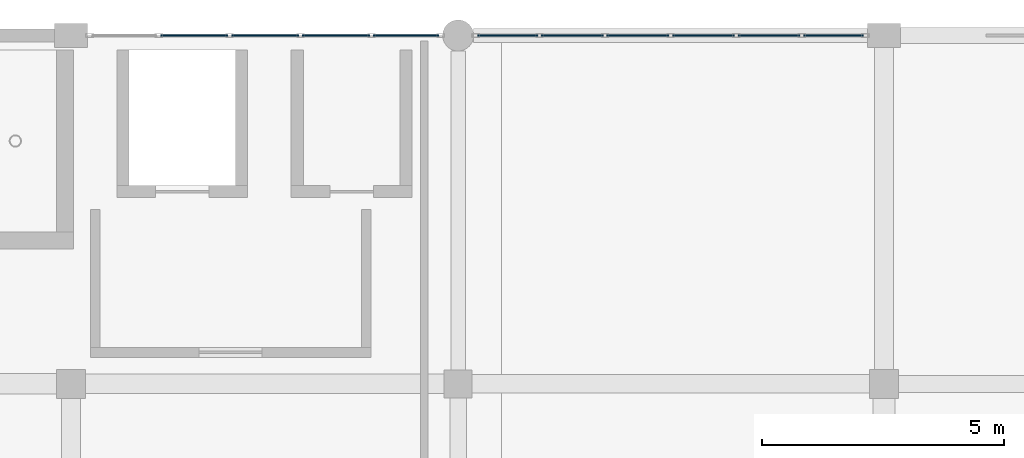
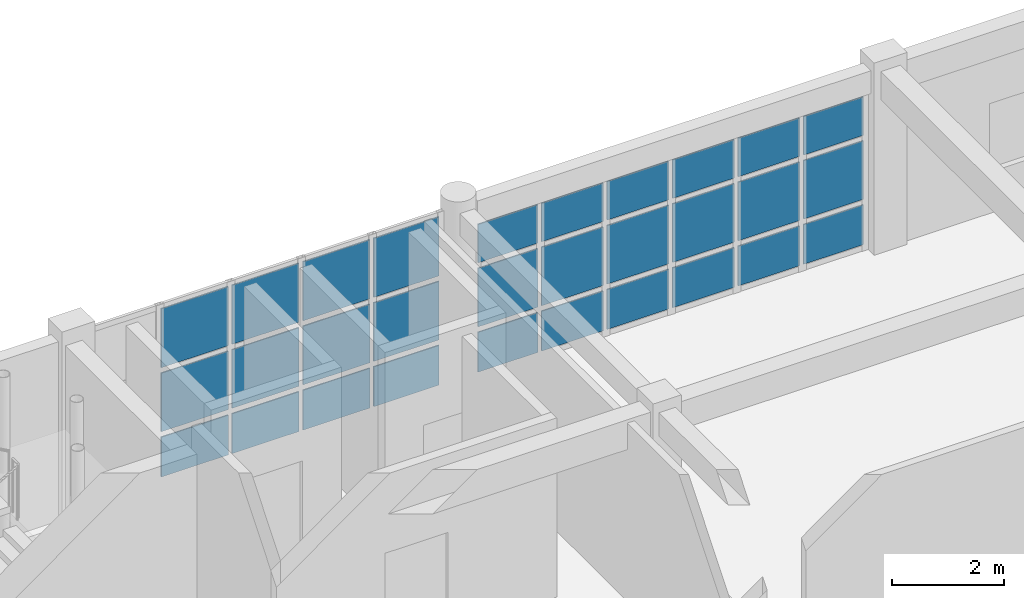
# One storey, part 36 of 53: 30 plates, 2 elements without a shape of their own.
"""IFC4 building model written with IfcOpenShell, lengths in metres."""

from ifc_helpers import new_model, si_unit, direction, frame, origin, origin_2d, place, context, subcontext, project, spatial, rectangle, extrude, material, layer, layer_set, type_object, element, aggregate, save


model = new_model("IFC4")

# Units and contexts
model_context = context("Model", 3, precision=1e-05, world=origin(), true_north=direction((0.0, 1.0)))
body_context = subcontext(model_context, "Body", "Model", "MODEL_VIEW")
ifc_project = project(units=[si_unit("LENGTHUNIT", "METRE"), si_unit("AREAUNIT", "SQUARE_METRE"), si_unit("VOLUMEUNIT", "CUBIC_METRE"), si_unit("PLANEANGLEUNIT", "RADIAN"), si_unit("MASSUNIT", "GRAM", prefix="KILO")], contexts=[model_context])

# Site, building, storey
site_placement = place(None, origin())
site = spatial("IfcSite", under=ifc_project, at=site_placement, CompositionType="ELEMENT")
building_placement = place(site_placement, origin())
building = spatial("IfcBuilding", under=site, at=building_placement, Name="Kharva Crest Polytechnic", CompositionType="ELEMENT")
storey_placement = place(building_placement, frame((0.0, 0.0, 17.39990234375)))
storey = spatial("IfcBuildingStorey", under=building, at=storey_placement, Name="L04", CompositionType="ELEMENT", Elevation=17.39990234375)

# Curtain wall, plates
ifc_material = material(Name="Tempered insulated glass", Category="glass")
curtain_wall_type = type_object("IfcCurtainWallType", Name="CW-SYS-STUDIO", PredefinedType="USERDEFINED", material=ifc_material)
curtain_wall_1_placement = place(storey_placement, origin())
curtain_wall_1 = element("IfcCurtainWall", 1, at=curtain_wall_1_placement, inside=storey, type_object=curtain_wall_type, Name="L04 Glazed Curtain Wall CW-176", ObjectType="CURTAIN WALL", PredefinedType="USERDEFINED")
ifc_layer = layer(ifc_material, 0.02587890625, Name="Tempered insulated glass")
ifc_layer_set = layer_set([ifc_layer], Name="Tempered insulated glass")
plate_type = type_object("IfcPlateType", Name="CWP-GLZ-26", PredefinedType="CURTAIN_PANEL", material=ifc_layer_set)
plate_1_placement = place(storey_placement, frame((127.757568359375, 122.0, 0.1201171875), z_axis=(0.0, 0.0, 1.0), x_axis=(-1.0, 0.0, 0.0)))
plate_1 = element("IfcPlate", 2, at=plate_1_placement, type_object=plate_type, Name="CW-176 panel 1.1", PredefinedType="CURTAIN_PANEL", context=body_context, shape_type="SweptSolid", body=[
    extrude(rectangle(XDim=1.235107421875, YDim=0.02587890625, at=origin_2d()), origin(), (0.0, 0.0, 1.0), 0.8701171875),
])
plate_2_placement = place(storey_placement, frame((127.757568359375, 122.0, 1.10986328125), z_axis=(0.0, 0.0, 1.0), x_axis=(-1.0, 0.0, 0.0)))
plate_2 = element("IfcPlate", 3, at=plate_2_placement, type_object=plate_type, Name="CW-176 panel 1.2", PredefinedType="CURTAIN_PANEL", context=body_context, shape_type="SweptSolid", body=[
    extrude(rectangle(XDim=1.235107421875, YDim=0.02587890625, at=origin_2d()), origin(), (0.0, 0.0, 1.0), 1.280029296875),
])
plate_3_placement = place(storey_placement, frame((127.757568359375, 122.0, 2.51025390625), z_axis=(0.0, 0.0, 1.0), x_axis=(-1.0, 0.0, 0.0)))
plate_3 = element("IfcPlate", 4, at=plate_3_placement, type_object=plate_type, Name="CW-176 panel 1.3", PredefinedType="CURTAIN_PANEL", context=body_context, shape_type="SweptSolid", body=[
    extrude(rectangle(XDim=1.235107421875, YDim=0.02587890625, at=origin_2d()), origin(), (0.0, 0.0, 1.0), 0.840087890625),
])
plate_4_placement = place(storey_placement, frame((126.422607421875, 122.0, 0.1201171875), z_axis=(0.0, 0.0, 1.0), x_axis=(-1.0, 0.0, 0.0)))
plate_4 = element("IfcPlate", 5, at=plate_4_placement, type_object=plate_type, Name="CW-176 panel 2.1", PredefinedType="CURTAIN_PANEL", context=body_context, shape_type="SweptSolid", body=[
    extrude(rectangle(XDim=1.27490234375, YDim=0.02587890625, at=origin_2d()), origin(), (0.0, 0.0, 1.0), 0.8701171875),
])
plate_5_placement = place(storey_placement, frame((126.422607421875, 122.0, 1.10986328125), z_axis=(0.0, 0.0, 1.0), x_axis=(-1.0, 0.0, 0.0)))
plate_5 = element("IfcPlate", 6, at=plate_5_placement, type_object=plate_type, Name="CW-176 panel 2.2", PredefinedType="CURTAIN_PANEL", context=body_context, shape_type="SweptSolid", body=[
    extrude(rectangle(XDim=1.27490234375, YDim=0.02587890625, at=origin_2d()), origin(), (0.0, 0.0, 1.0), 1.280029296875),
])
plate_6_placement = place(storey_placement, frame((126.422607421875, 122.0, 2.51025390625), z_axis=(0.0, 0.0, 1.0), x_axis=(-1.0, 0.0, 0.0)))
plate_6 = element("IfcPlate", 7, at=plate_6_placement, type_object=plate_type, Name="CW-176 panel 2.3", PredefinedType="CURTAIN_PANEL", context=body_context, shape_type="SweptSolid", body=[
    extrude(rectangle(XDim=1.27490234375, YDim=0.02587890625, at=origin_2d()), origin(), (0.0, 0.0, 1.0), 0.840087890625),
])
plate_7_placement = place(storey_placement, frame((125.0673828125, 122.0, 0.1201171875), z_axis=(0.0, 0.0, 1.0), x_axis=(-1.0, 0.0, 0.0)))
plate_7 = element("IfcPlate", 8, at=plate_7_placement, type_object=plate_type, Name="CW-176 panel 3.1", PredefinedType="CURTAIN_PANEL", context=body_context, shape_type="SweptSolid", body=[
    extrude(rectangle(XDim=1.27490234375, YDim=0.02587890625, at=origin_2d()), origin(), (0.0, 0.0, 1.0), 0.8701171875),
])
plate_8_placement = place(storey_placement, frame((125.0673828125, 122.0, 1.10986328125), z_axis=(0.0, 0.0, 1.0), x_axis=(-1.0, 0.0, 0.0)))
plate_8 = element("IfcPlate", 9, at=plate_8_placement, type_object=plate_type, Name="CW-176 panel 3.2", PredefinedType="CURTAIN_PANEL", context=body_context, shape_type="SweptSolid", body=[
    extrude(rectangle(XDim=1.27490234375, YDim=0.02587890625, at=origin_2d()), origin(), (0.0, 0.0, 1.0), 1.280029296875),
])
plate_9_placement = place(storey_placement, frame((125.0673828125, 122.0, 2.51025390625), z_axis=(0.0, 0.0, 1.0), x_axis=(-1.0, 0.0, 0.0)))
plate_9 = element("IfcPlate", 10, at=plate_9_placement, type_object=plate_type, Name="CW-176 panel 3.3", PredefinedType="CURTAIN_PANEL", context=body_context, shape_type="SweptSolid", body=[
    extrude(rectangle(XDim=1.27490234375, YDim=0.02587890625, at=origin_2d()), origin(), (0.0, 0.0, 1.0), 0.840087890625),
])
plate_10_placement = place(storey_placement, frame((123.71240234375, 122.0, 0.1201171875), z_axis=(0.0, 0.0, 1.0), x_axis=(-1.0, 0.0, 0.0)))
plate_10 = element("IfcPlate", 11, at=plate_10_placement, type_object=plate_type, Name="CW-176 panel 4.1", PredefinedType="CURTAIN_PANEL", context=body_context, shape_type="SweptSolid", body=[
    extrude(rectangle(XDim=1.27490234375, YDim=0.02587890625, at=origin_2d()), origin(), (0.0, 0.0, 1.0), 0.8701171875),
])
plate_11_placement = place(storey_placement, frame((123.71240234375, 122.0, 1.10986328125), z_axis=(0.0, 0.0, 1.0), x_axis=(-1.0, 0.0, 0.0)))
plate_11 = element("IfcPlate", 12, at=plate_11_placement, type_object=plate_type, Name="CW-176 panel 4.2", PredefinedType="CURTAIN_PANEL", context=body_context, shape_type="SweptSolid", body=[
    extrude(rectangle(XDim=1.27490234375, YDim=0.02587890625, at=origin_2d()), origin(), (0.0, 0.0, 1.0), 1.280029296875),
])
plate_12_placement = place(storey_placement, frame((123.71240234375, 122.0, 2.51025390625), z_axis=(0.0, 0.0, 1.0), x_axis=(-1.0, 0.0, 0.0)))
plate_12 = element("IfcPlate", 13, at=plate_12_placement, type_object=plate_type, Name="CW-176 panel 4.3", PredefinedType="CURTAIN_PANEL", context=body_context, shape_type="SweptSolid", body=[
    extrude(rectangle(XDim=1.27490234375, YDim=0.02587890625, at=origin_2d()), origin(), (0.0, 0.0, 1.0), 0.840087890625),
])
plate_13_placement = place(storey_placement, frame((122.357421875, 122.0, 0.1201171875), z_axis=(0.0, 0.0, 1.0), x_axis=(-1.0, 0.0, 0.0)))
plate_13 = element("IfcPlate", 14, at=plate_13_placement, type_object=plate_type, Name="CW-176 panel 5.1", PredefinedType="CURTAIN_PANEL", context=body_context, shape_type="SweptSolid", body=[
    extrude(rectangle(XDim=1.27490234375, YDim=0.02587890625, at=origin_2d()), origin(), (0.0, 0.0, 1.0), 0.8701171875),
])
plate_14_placement = place(storey_placement, frame((122.357421875, 122.0, 1.10986328125), z_axis=(0.0, 0.0, 1.0), x_axis=(-1.0, 0.0, 0.0)))
plate_14 = element("IfcPlate", 15, at=plate_14_placement, type_object=plate_type, Name="CW-176 panel 5.2", PredefinedType="CURTAIN_PANEL", context=body_context, shape_type="SweptSolid", body=[
    extrude(rectangle(XDim=1.27490234375, YDim=0.02587890625, at=origin_2d()), origin(), (0.0, 0.0, 1.0), 1.280029296875),
])
plate_15_placement = place(storey_placement, frame((122.357421875, 122.0, 2.51025390625), z_axis=(0.0, 0.0, 1.0), x_axis=(-1.0, 0.0, 0.0)))
plate_15 = element("IfcPlate", 16, at=plate_15_placement, type_object=plate_type, Name="CW-176 panel 5.3", PredefinedType="CURTAIN_PANEL", context=body_context, shape_type="SweptSolid", body=[
    extrude(rectangle(XDim=1.27490234375, YDim=0.02587890625, at=origin_2d()), origin(), (0.0, 0.0, 1.0), 0.840087890625),
])
plate_16_placement = place(storey_placement, frame((121.0224609375, 122.0, 0.1201171875), z_axis=(0.0, 0.0, 1.0), x_axis=(-1.0, 0.0, 0.0)))
plate_16 = element("IfcPlate", 17, at=plate_16_placement, type_object=plate_type, Name="CW-176 panel 6.1", PredefinedType="CURTAIN_PANEL", context=body_context, shape_type="SweptSolid", body=[
    extrude(rectangle(XDim=1.235107421875, YDim=0.02587890625, at=origin_2d()), origin(), (0.0, 0.0, 1.0), 0.8701171875),
])
plate_17_placement = place(storey_placement, frame((121.0224609375, 122.0, 1.10986328125), z_axis=(0.0, 0.0, 1.0), x_axis=(-1.0, 0.0, 0.0)))
plate_17 = element("IfcPlate", 18, at=plate_17_placement, type_object=plate_type, Name="CW-176 panel 6.2", PredefinedType="CURTAIN_PANEL", context=body_context, shape_type="SweptSolid", body=[
    extrude(rectangle(XDim=1.235107421875, YDim=0.02587890625, at=origin_2d()), origin(), (0.0, 0.0, 1.0), 1.280029296875),
])
plate_18_placement = place(storey_placement, frame((121.0224609375, 122.0, 2.51025390625), z_axis=(0.0, 0.0, 1.0), x_axis=(-1.0, 0.0, 0.0)))
plate_18 = element("IfcPlate", 19, at=plate_18_placement, type_object=plate_type, Name="CW-176 panel 6.3", PredefinedType="CURTAIN_PANEL", context=body_context, shape_type="SweptSolid", body=[
    extrude(rectangle(XDim=1.235107421875, YDim=0.02587890625, at=origin_2d()), origin(), (0.0, 0.0, 1.0), 0.840087890625),
])
aggregate(curtain_wall_1, [plate_1, plate_2, plate_3, plate_4, plate_5, plate_6, plate_7, plate_8, plate_9, plate_10, plate_11, plate_12, plate_13, plate_14, plate_15, plate_16, plate_17, plate_18])

curtain_wall_2_placement = place(storey_placement, origin())
curtain_wall_2 = element("IfcCurtainWall", 20, at=curtain_wall_2_placement, inside=storey, type_object=curtain_wall_type, Name="L04 Glazed Curtain Wall CW-177", ObjectType="CURTAIN WALL", PredefinedType="USERDEFINED")
plate_19_placement = place(storey_placement, frame((118.922119140625, 122.0, 0.1201171875), z_axis=(0.0, 0.0, 1.0), x_axis=(-1.0, 0.0, 0.0)))
plate_19 = element("IfcPlate", 21, at=plate_19_placement, type_object=plate_type, Name="CW-177 panel 1.1", PredefinedType="CURTAIN_PANEL", context=body_context, shape_type="SweptSolid", body=[
    extrude(rectangle(XDim=1.345947265625, YDim=0.02587890625, at=origin_2d()), origin(), (0.0, 0.0, 1.0), 0.8701171875),
])
plate_20_placement = place(storey_placement, frame((118.922119140625, 122.0, 1.10986328125), z_axis=(0.0, 0.0, 1.0), x_axis=(-1.0, 0.0, 0.0)))
plate_20 = element("IfcPlate", 22, at=plate_20_placement, type_object=plate_type, Name="CW-177 panel 1.2", PredefinedType="CURTAIN_PANEL", context=body_context, shape_type="SweptSolid", body=[
    extrude(rectangle(XDim=1.345947265625, YDim=0.02587890625, at=origin_2d()), origin(), (0.0, 0.0, 1.0), 1.280029296875),
])
plate_21_placement = place(storey_placement, frame((118.922119140625, 122.0, 2.510009765625), z_axis=(0.0, 0.0, 1.0), x_axis=(-1.0, 0.0, 0.0)))
plate_21 = element("IfcPlate", 23, at=plate_21_placement, type_object=plate_type, Name="CW-177 panel 1.3", PredefinedType="CURTAIN_PANEL", context=body_context, shape_type="SweptSolid", body=[
    extrude(rectangle(XDim=1.345947265625, YDim=0.02587890625, at=origin_2d()), origin(), (0.0, 0.0, 1.0), 1.2900390625),
])
plate_22_placement = place(storey_placement, frame((117.47607421875, 122.0, 0.1201171875), z_axis=(0.0, 0.0, 1.0), x_axis=(-1.0, 0.0, 0.0)))
plate_22 = element("IfcPlate", 24, at=plate_22_placement, type_object=plate_type, Name="CW-177 panel 2.1", PredefinedType="CURTAIN_PANEL", context=body_context, shape_type="SweptSolid", body=[
    extrude(rectangle(XDim=1.385986328125, YDim=0.02587890625, at=origin_2d()), origin(), (0.0, 0.0, 1.0), 0.8701171875),
])
plate_23_placement = place(storey_placement, frame((117.47607421875, 122.0, 1.10986328125), z_axis=(0.0, 0.0, 1.0), x_axis=(-1.0, 0.0, 0.0)))
plate_23 = element("IfcPlate", 25, at=plate_23_placement, type_object=plate_type, Name="CW-177 panel 2.2", PredefinedType="CURTAIN_PANEL", context=body_context, shape_type="SweptSolid", body=[
    extrude(rectangle(XDim=1.385986328125, YDim=0.02587890625, at=origin_2d()), origin(), (0.0, 0.0, 1.0), 1.280029296875),
])
plate_24_placement = place(storey_placement, frame((117.47607421875, 122.0, 2.510009765625), z_axis=(0.0, 0.0, 1.0), x_axis=(-1.0, 0.0, 0.0)))
plate_24 = element("IfcPlate", 26, at=plate_24_placement, type_object=plate_type, Name="CW-177 panel 2.3", PredefinedType="CURTAIN_PANEL", context=body_context, shape_type="SweptSolid", body=[
    extrude(rectangle(XDim=1.385986328125, YDim=0.02587890625, at=origin_2d()), origin(), (0.0, 0.0, 1.0), 1.2900390625),
])
plate_25_placement = place(storey_placement, frame((116.010009765625, 122.0, 0.1201171875), z_axis=(0.0, 0.0, 1.0), x_axis=(-1.0, 0.0, 0.0)))
plate_25 = element("IfcPlate", 27, at=plate_25_placement, type_object=plate_type, Name="CW-177 panel 3.1", PredefinedType="CURTAIN_PANEL", context=body_context, shape_type="SweptSolid", body=[
    extrude(rectangle(XDim=1.385986328125, YDim=0.02587890625, at=origin_2d()), origin(), (0.0, 0.0, 1.0), 0.8701171875),
])
plate_26_placement = place(storey_placement, frame((116.010009765625, 122.0, 1.10986328125), z_axis=(0.0, 0.0, 1.0), x_axis=(-1.0, 0.0, 0.0)))
plate_26 = element("IfcPlate", 28, at=plate_26_placement, type_object=plate_type, Name="CW-177 panel 3.2", PredefinedType="CURTAIN_PANEL", context=body_context, shape_type="SweptSolid", body=[
    extrude(rectangle(XDim=1.385986328125, YDim=0.02587890625, at=origin_2d()), origin(), (0.0, 0.0, 1.0), 1.280029296875),
])
plate_27_placement = place(storey_placement, frame((116.010009765625, 122.0, 2.510009765625), z_axis=(0.0, 0.0, 1.0), x_axis=(-1.0, 0.0, 0.0)))
plate_27 = element("IfcPlate", 29, at=plate_27_placement, type_object=plate_type, Name="CW-177 panel 3.3", PredefinedType="CURTAIN_PANEL", context=body_context, shape_type="SweptSolid", body=[
    extrude(rectangle(XDim=1.385986328125, YDim=0.02587890625, at=origin_2d()), origin(), (0.0, 0.0, 1.0), 1.2900390625),
])
plate_28_placement = place(storey_placement, frame((114.5439453125, 122.0, 0.1201171875), z_axis=(0.0, 0.0, 1.0), x_axis=(-1.0, 0.0, 0.0)))
plate_28 = element("IfcPlate", 30, at=plate_28_placement, type_object=plate_type, Name="CW-177 panel 4.1", PredefinedType="CURTAIN_PANEL", context=body_context, shape_type="SweptSolid", body=[
    extrude(rectangle(XDim=1.385986328125, YDim=0.02587890625, at=origin_2d()), origin(), (0.0, 0.0, 1.0), 0.8701171875),
])
plate_29_placement = place(storey_placement, frame((114.5439453125, 122.0, 1.10986328125), z_axis=(0.0, 0.0, 1.0), x_axis=(-1.0, 0.0, 0.0)))
plate_29 = element("IfcPlate", 31, at=plate_29_placement, type_object=plate_type, Name="CW-177 panel 4.2", PredefinedType="CURTAIN_PANEL", context=body_context, shape_type="SweptSolid", body=[
    extrude(rectangle(XDim=1.385986328125, YDim=0.02587890625, at=origin_2d()), origin(), (0.0, 0.0, 1.0), 1.280029296875),
])
plate_30_placement = place(storey_placement, frame((114.5439453125, 122.0, 2.510009765625), z_axis=(0.0, 0.0, 1.0), x_axis=(-1.0, 0.0, 0.0)))
plate_30 = element("IfcPlate", 32, at=plate_30_placement, type_object=plate_type, Name="CW-177 panel 4.3", PredefinedType="CURTAIN_PANEL", context=body_context, shape_type="SweptSolid", body=[
    extrude(rectangle(XDim=1.385986328125, YDim=0.02587890625, at=origin_2d()), origin(), (0.0, 0.0, 1.0), 1.2900390625),
])
aggregate(curtain_wall_2, [plate_19, plate_20, plate_21, plate_22, plate_23, plate_24, plate_25, plate_26, plate_27, plate_28, plate_29, plate_30])

save(model, "model.ifc")
